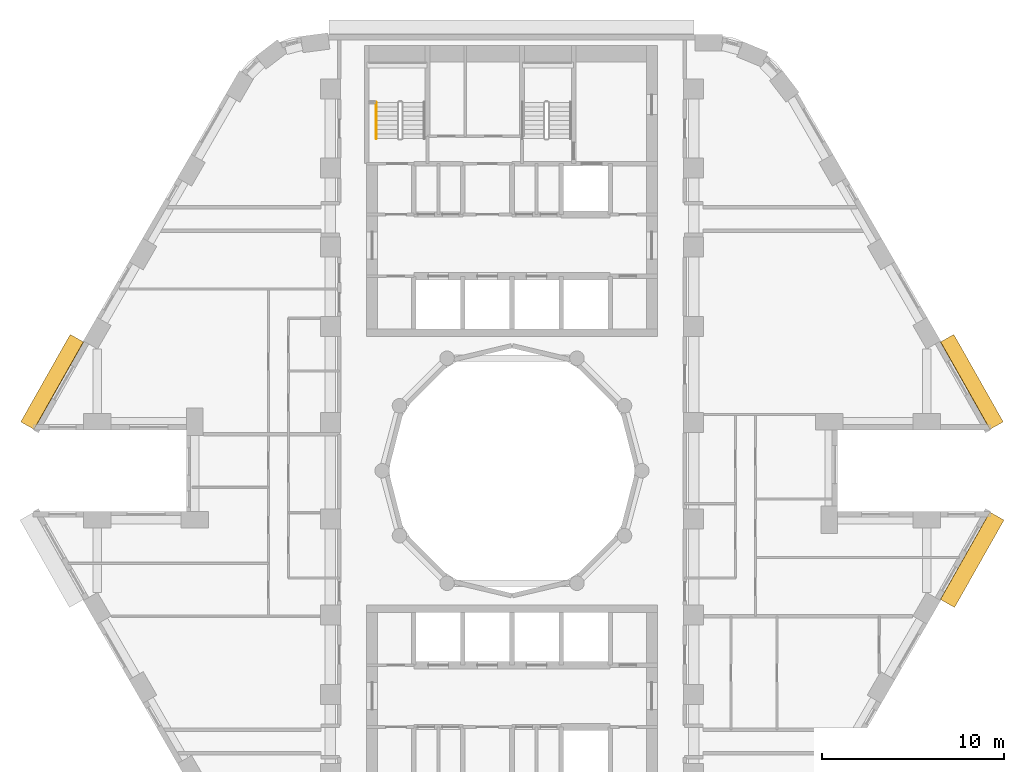
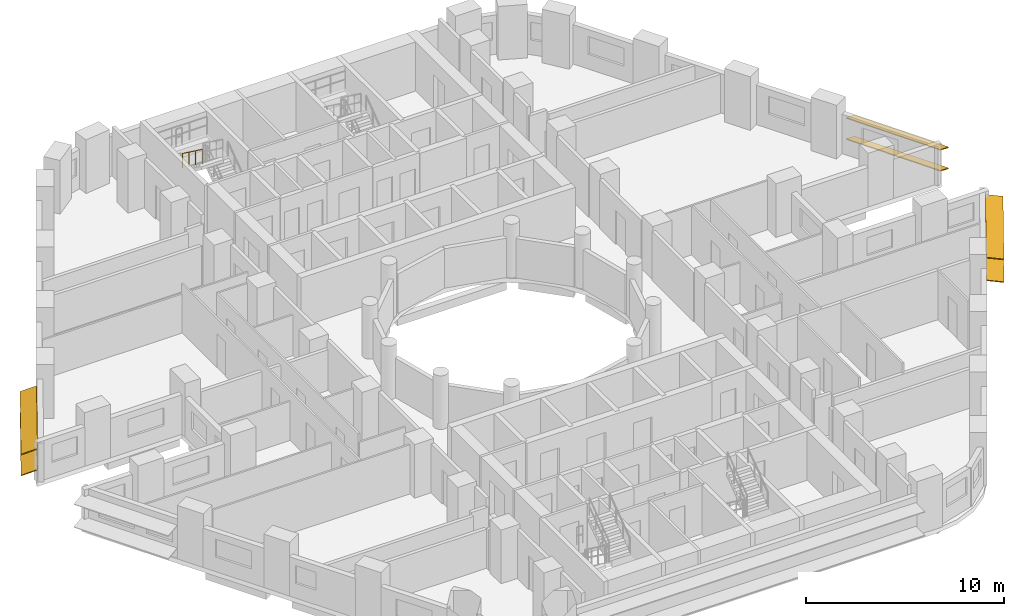
# One storey, part 11 of 12: 6 shading devices, 1 railing.
"""IFC4 building model written with IfcOpenShell, lengths in metres."""

from ifc_helpers import new_model, si_unit, direction, frame, origin, origin_2d, place, context, subcontext, project, spatial, rectangle, circle, extrude, material, material_profile, profile_set, type_object, element, save


model = new_model("IFC4")

# Units and contexts
model_context = context("Model", 3, precision=1e-05, world=origin(), true_north=direction((0.0, 1.0)))
body_context = subcontext(model_context, "Body", "Model", "MODEL_VIEW")
ifc_project = project(units=[si_unit("LENGTHUNIT", "METRE"), si_unit("AREAUNIT", "SQUARE_METRE"), si_unit("VOLUMEUNIT", "CUBIC_METRE"), si_unit("PLANEANGLEUNIT", "RADIAN"), si_unit("MASSUNIT", "GRAM", prefix="KILO")], contexts=[model_context])

# Site, building, storey
site_placement = place(None, origin())
site = spatial("IfcSite", under=ifc_project, at=site_placement, CompositionType="ELEMENT")
building_placement = place(site_placement, origin())
building = spatial("IfcBuilding", under=site, at=building_placement, Name="Nakaniwa Court", CompositionType="ELEMENT")
storey_placement = place(building_placement, frame((0.0, 0.0, 51.300048828125)))
storey = spatial("IfcBuildingStorey", under=building, at=storey_placement, Name="L13", CompositionType="ELEMENT", Elevation=51.300048828125)

# Shading devices
ifc_material_1 = material(Name="Perforated charcoal ceramic louvre blade")
ifc_material_profile = material_profile(ifc_material_1, rectangle(XDim=0.89990234375, YDim=0.050048828125, at=origin_2d()), Name="Perforated ceramic louvre blade")
ifc_profile_set = profile_set([ifc_material_profile], Name="Perforated charcoal ceramic louvre blade")
shading_device_type = type_object("IfcShadingDeviceType", Name="Perforated ceramic louvre blade", PredefinedType="JALOUSIE", material=ifc_profile_set)
for number, where, z_axis, x_axis, name in (
    (1, (106.662353515625, 82.480224609375, 0.550048828125), (-0.492342539441, 0.870401530247, 0.0), (-0.80472628244, -0.455193342019, 0.38107037635), "L13 perforated ceramic louvre blade w02 1"),
    (2, (106.662353515625, 82.480224609375, 1.845458984375), (-0.492342539441, 0.870401530247, 0.0), (-0.80472628244, -0.455193342019, 0.38107037635), "L13 perforated ceramic louvre blade w02 2"),
    (3, (56.05859375, 87.29052734375, 0.550048828125), (-0.492342539441, -0.870401530247, 0.0), (0.80472628244, -0.455193342019, 0.38107037635), "L13 perforated ceramic louvre blade w14 1"),
    (4, (56.05859375, 87.29052734375, 1.845458984375), (-0.492342539441, -0.870401530247, 0.0), (0.80472628244, -0.455193342019, 0.38107037635), "L13 perforated ceramic louvre blade w14 2"),
    (5, (103.962158203125, 72.69775390625, 0.550048828125), (0.492342539441, 0.870401530247, 0.0), (-0.86275552304, 0.488017576221, 0.132256390257), "L13 perforated ceramic louvre blade w32 1"),
    (6, (103.962158203125, 72.69775390625, 1.95556640625), (0.492342539441, 0.870401530247, 0.0), (-0.86275552304, 0.488017576221, 0.132256390257), "L13 perforated ceramic louvre blade w32 2"),
):
    element("IfcShadingDevice", number, at=place(storey_placement, frame(where, z_axis=z_axis, x_axis=x_axis)), inside=storey, type_object=shading_device_type, Name=name, PredefinedType="JALOUSIE", context=body_context, shape_type="SweptSolid", body=[
        extrude(rectangle(XDim=0.89990234375, YDim=0.050048828125, at=origin_2d()), origin(), (0.0, 0.0, 1.0), 5.526611328125),
    ])

# Railing
ifc_material_2 = material(Name="Black powder coated steel handrail", Category="steel")
railing_type = type_object("IfcRailingType", Name="Stair handrail 900", PredefinedType="HANDRAIL", material=ifc_material_2)
railing_placement = place(storey_placement, frame((72.52490234375, 100.27490234375, 1.833251953125)))
element("IfcRailing", 7, at=railing_placement, inside=storey, type_object=railing_type, Name="L13 ST1 stair handrail 2", PredefinedType="HANDRAIL", context=body_context, shape_type="SweptSolid", body=[
    extrude(circle(Radius=0.02392578125, at=origin_2d()), frame((0.0, 0.0, 0.8759765625), z_axis=(0.0, -0.806379959628, 0.591397802423), x_axis=(1.0, 0.0, 0.0)), (0.0, 0.0, 1.0), 2.480224609375),
    extrude(circle(Radius=0.02099609375, at=origin_2d()), origin(), (0.0, 0.0, 1.0), 0.851806640625),
    extrude(circle(Radius=0.02099609375, at=origin_2d()), frame((0.0, -0.666748046875, 0.489013671875)), (0.0, 0.0, 1.0), 0.851806640625),
    extrude(circle(Radius=0.02099609375, at=origin_2d()), frame((0.0, -1.333251953125, 0.977783203125)), (0.0, 0.0, 1.0), 0.851806640625),
    extrude(circle(Radius=0.02099609375, at=origin_2d()), frame((0.0, -2.0, 1.466796875)), (0.0, 0.0, 1.0), 0.851806640625),
])

save(model, "model.ifc")
